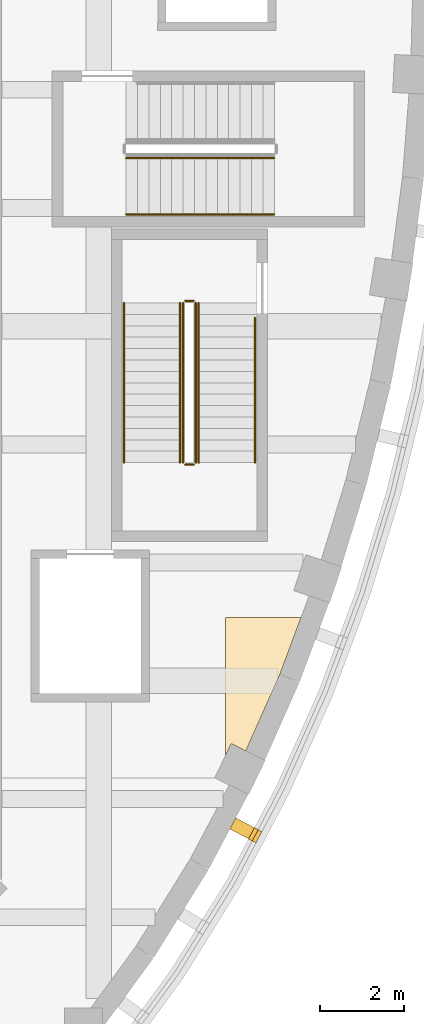
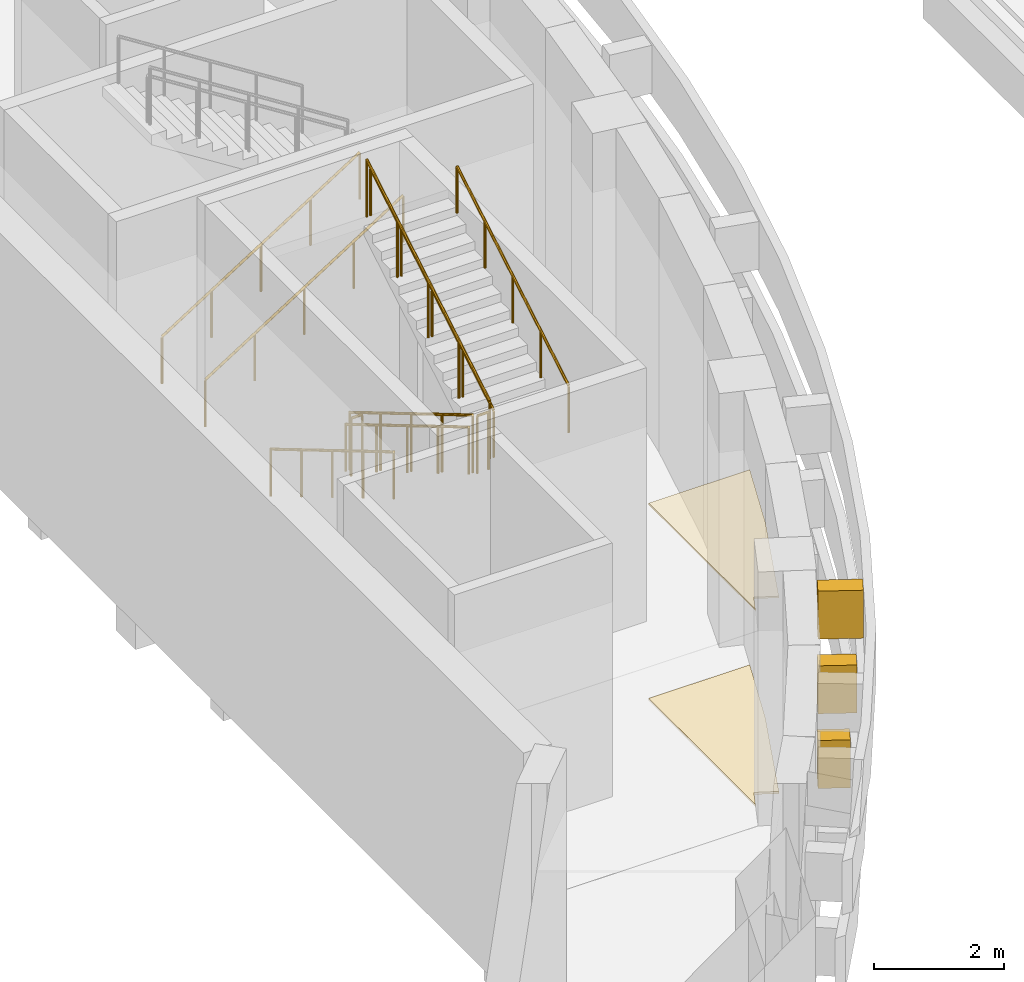
# One storey, part 89 of 103: 10 railings, 5 coverings.
"""IFC4 building model written with IfcOpenShell, lengths in metres."""

from ifc_helpers import new_model, si_unit, direction, frame, origin, origin_2d, place, context, subcontext, project, spatial, polyline, rectangle, circle, outline, extrude, material, layer, layer_set, type_object, element, save


model = new_model("IFC4")

# Units and contexts
model_context = context("Model", 3, precision=1e-05, world=origin(), true_north=direction((0.0, 1.0)))
body_context = subcontext(model_context, "Body", "Model", "MODEL_VIEW")
ifc_project = project(units=[si_unit("LENGTHUNIT", "METRE"), si_unit("AREAUNIT", "SQUARE_METRE"), si_unit("VOLUMEUNIT", "CUBIC_METRE"), si_unit("PLANEANGLEUNIT", "RADIAN"), si_unit("MASSUNIT", "GRAM", prefix="KILO")], contexts=[model_context])

# Site, building, storey
site_placement = place(None, origin())
site = spatial("IfcSite", under=ifc_project, at=site_placement, CompositionType="ELEMENT")
building_placement = place(site_placement, origin())
building = spatial("IfcBuilding", under=site, at=building_placement, Name="Larchfold Concert Hall", CompositionType="ELEMENT")
storey_placement = place(building_placement, frame((0.0, 0.0, 9.60009765625)))
storey = spatial("IfcBuildingStorey", under=building, at=storey_placement, Name="L02", CompositionType="ELEMENT", Elevation=9.60009765625)

# Coverings
ifc_material_1 = material(Name="Plasterboard ceiling lining")
ifc_layer_1 = layer(ifc_material_1, 0.030029296875)
ifc_layer_set_1 = layer_set([ifc_layer_1], Name="Plasterboard ceiling lining")
covering_type_1 = type_object("IfcCoveringType", Name="Ceiling suspended plasterboard 30", PredefinedType="CEILING", material=ifc_layer_set_1)
covering_1_placement = place(storey_placement, frame((0.0, 0.0, 3.669921875)))
element("IfcCovering", 1, at=covering_1_placement, inside=storey, type_object=covering_type_1, Name="Ceiling Hall Foyer South East", PredefinedType="CEILING", context=body_context, shape_type="SweptSolid", body=[
    extrude(outline(polyline([(62.88623046875, 66.142333984375), (63.69287109375, 67.953369140625), (64.19384765625, 69.300048828125), (62.400146484375, 69.300048828125), (62.400146484375, 66.0224609375), (62.53955078125, 66.310302734375), (62.88623046875, 66.142333984375)])), origin(), (0.0, 0.0, 1.0), 0.030029296875),
])
ifc_material_2 = material(Name="Polished terrazzo")
ifc_layer_2 = layer(ifc_material_2, 0.0400390625)
ifc_layer_set_2 = layer_set([ifc_layer_2], Name="Polished terrazzo")
covering_type_2 = type_object("IfcCoveringType", Name="Floor finish terrazzo 40", PredefinedType="FLOORING", material=ifc_layer_set_2)
covering_2_placement = place(storey_placement, origin())
element("IfcCovering", 2, at=covering_2_placement, inside=storey, type_object=covering_type_2, Name="Floor finish Hall Foyer South East", PredefinedType="FLOORING", context=body_context, shape_type="SweptSolid", body=[
    extrude(outline(polyline([(62.88623046875, 66.142333984375), (63.69287109375, 67.953369140625), (64.19384765625, 69.300048828125), (62.400146484375, 69.300048828125), (62.400146484375, 66.0224609375), (62.53955078125, 66.310302734375), (62.88623046875, 66.142333984375)])), origin(), (0.0, 0.0, 1.0), 0.0400390625),
])
ifc_material_3 = material(Name="Galvanised steel bracket", Category="steel")
ifc_layer_3 = layer(ifc_material_3, 0.300048828125)
ifc_layer_set_3 = layer_set([ifc_layer_3], Name="Galvanised steel bracket")
covering_type_3 = type_object("IfcCoveringType", Name="Ring support bracket", PredefinedType="CLADDING", material=ifc_layer_set_3)
covering_3_placement = place(storey_placement, frame((62.79931640625, 64.30517578125, 1.349853515625), z_axis=(0.0, 0.0, 1.0), x_axis=(0.884535681061, -0.466472538238, 0.0)))
element("IfcCovering", 3, at=covering_3_placement, inside=storey, type_object=covering_type_3, Name="Ring bracket BR-R03-29", PredefinedType="CLADDING", context=body_context, shape_type="SweptSolid", body=[
    extrude(rectangle(XDim=0.5, YDim=0.300048828125, at=origin_2d()), origin(), (0.0, 0.0, 1.0), 0.89990234375),
])
covering_4_placement = place(storey_placement, frame((62.843505859375, 64.28173828125, 2.75), z_axis=(0.0, 0.0, 1.0), x_axis=(0.884535681061, -0.466472538238, 0.0)))
element("IfcCovering", 4, at=covering_4_placement, inside=storey, type_object=covering_type_3, Name="Ring bracket BR-R04-29", PredefinedType="CLADDING", context=body_context, shape_type="SweptSolid", body=[
    extrude(rectangle(XDim=0.60009765625, YDim=0.300048828125, at=origin_2d()), origin(), (0.0, 0.0, 1.0), 0.89990234375),
])
covering_5_placement = place(storey_placement, frame((62.8876953125, 64.258544921875, 4.14990234375), z_axis=(0.0, 0.0, 1.0), x_axis=(0.884535681061, -0.466472538238, 0.0)))
element("IfcCovering", 5, at=covering_5_placement, inside=storey, type_object=covering_type_3, Name="Ring bracket BR-R05-29", PredefinedType="CLADDING", context=body_context, shape_type="SweptSolid", body=[
    extrude(rectangle(XDim=0.699951171875, YDim=0.300048828125, at=origin_2d()), origin(), (0.0, 0.0, 1.0), 0.89990234375),
])

# Railings
ifc_material_4 = material(Name="Stainless steel balustrade", Category="steel")
railing_type_1 = type_object("IfcRailingType", Name="Stair guard 1100", PredefinedType="GUARDRAIL", material=ifc_material_4)
railing_1_placement = place(storey_placement, frame((61.39990234375, 76.75, 0.159912109375)))
element("IfcRailing", 6, at=railing_1_placement, inside=storey, type_object=railing_type_1, Name="Guard GR0024", PredefinedType="GUARDRAIL", context=body_context, shape_type="SweptSolid", body=[
    extrude(circle(Radius=0.02392578125, at=origin_2d()), frame((0.0, 0.0, 1.076171875), z_axis=(0.0, -0.860294241299, 0.509797821089), x_axis=(1.0, 0.0, 0.0)), (0.0, 0.0, 1.0), 4.393798828125),
    extrude(circle(Radius=0.02099609375, at=origin_2d()), origin(), (0.0, 0.0, 1.0), 1.052001953125),
    extrude(circle(Radius=0.02099609375, at=origin_2d()), frame((0.0, -0.945068359375, 0.56005859375)), (0.0, 0.0, 1.0), 1.052001953125),
    extrude(circle(Radius=0.02099609375, at=origin_2d()), frame((0.0, -1.89013671875, 1.1201171875)), (0.0, 0.0, 1.0), 1.052001953125),
    extrude(circle(Radius=0.02099609375, at=origin_2d()), frame((0.0, -2.8349609375, 1.679931640625)), (0.0, 0.0, 1.0), 1.052001953125),
    extrude(circle(Radius=0.02099609375, at=origin_2d()), frame((0.0, -3.780029296875, 2.239990234375)), (0.0, 0.0, 1.0), 1.052001953125),
])
railing_2_placement = place(storey_placement, frame((61.449951171875, 72.919921875, 2.39990234375)))
element("IfcRailing", 7, at=railing_2_placement, inside=storey, type_object=railing_type_1, Name="Guard GR0025", PredefinedType="GUARDRAIL", context=body_context, shape_type="SweptSolid", body=[
    extrude(circle(Radius=0.02392578125, at=origin_2d()), frame((0.0, 0.0, 1.076171875), z_axis=(1.0, 0.0, 0.0), x_axis=(0.0, 1.0, 0.0)), (0.0, 0.0, 1.0), 0.199951171875),
    extrude(circle(Radius=0.02099609375, at=origin_2d()), origin(), (0.0, 0.0, 1.0), 1.052001953125),
    extrude(circle(Radius=0.02099609375, at=origin_2d()), frame((0.199951171875, 0.0, 0.0)), (0.0, 0.0, 1.0), 1.052001953125),
])
railing_3_placement = place(storey_placement, frame((61.699951171875, 72.969970703125, 2.559814453125)))
element("IfcRailing", 8, at=railing_3_placement, inside=storey, type_object=railing_type_1, Name="Guard GR0026", PredefinedType="GUARDRAIL", context=body_context, shape_type="SweptSolid", body=[
    extrude(circle(Radius=0.02392578125, at=origin_2d()), frame((0.0, 0.0, 1.076171875), z_axis=(0.0, 0.860294241299, 0.509797821089), x_axis=(-1.0, 0.0, 0.0)), (0.0, 0.0, 1.0), 4.393798828125),
    extrude(circle(Radius=0.02099609375, at=origin_2d()), origin(), (0.0, 0.0, 1.0), 1.052001953125),
    extrude(circle(Radius=0.02099609375, at=origin_2d()), frame((0.0, 0.945068359375, 0.56005859375)), (0.0, 0.0, 1.0), 1.052001953125),
    extrude(circle(Radius=0.02099609375, at=origin_2d()), frame((0.0, 1.89013671875, 1.1201171875)), (0.0, 0.0, 1.0), 1.052001953125),
    extrude(circle(Radius=0.02099609375, at=origin_2d()), frame((0.0, 2.8349609375, 1.679931640625)), (0.0, 0.0, 1.0), 1.052001953125),
    extrude(circle(Radius=0.02099609375, at=origin_2d()), frame((0.0, 3.780029296875, 2.239990234375)), (0.0, 0.0, 1.0), 1.052001953125),
])
railing_4_placement = place(storey_placement, frame((61.449951171875, 76.800048828125, 0.0)))
element("IfcRailing", 9, at=railing_4_placement, inside=storey, type_object=railing_type_1, Name="Guard GR0027", PredefinedType="GUARDRAIL", context=body_context, shape_type="SweptSolid", body=[
    extrude(circle(Radius=0.02392578125, at=origin_2d()), frame((0.0, 0.0, 1.076171875), z_axis=(1.0, 0.0, 0.0), x_axis=(0.0, 1.0, 0.0)), (0.0, 0.0, 1.0), 0.199951171875),
    extrude(circle(Radius=0.02099609375, at=origin_2d()), origin(), (0.0, 0.0, 1.0), 1.052001953125),
    extrude(circle(Radius=0.02099609375, at=origin_2d()), frame((0.199951171875, 0.0, 0.0)), (0.0, 0.0, 1.0), 1.052001953125),
])
ifc_material_5 = material(Name="Stainless steel handrail", Category="steel")
railing_type_2 = type_object("IfcRailingType", Name="Stair handrail 900", PredefinedType="HANDRAIL", material=ifc_material_5)
railing_5_placement = place(storey_placement, frame((60.0, 76.75, 0.159912109375)))
element("IfcRailing", 10, at=railing_5_placement, inside=storey, type_object=railing_type_2, Name="Handrail HR0021", PredefinedType="HANDRAIL", context=body_context, shape_type="SweptSolid", body=[
    extrude(circle(Radius=0.02392578125, at=origin_2d()), frame((0.0, 0.0, 0.8759765625), z_axis=(0.0, -0.860294241299, 0.509797821089), x_axis=(1.0, 0.0, 0.0)), (0.0, 0.0, 1.0), 4.393798828125),
    extrude(circle(Radius=0.02099609375, at=origin_2d()), origin(), (0.0, 0.0, 1.0), 0.851806640625),
    extrude(circle(Radius=0.02099609375, at=origin_2d()), frame((0.0, -0.945068359375, 0.56005859375)), (0.0, 0.0, 1.0), 0.851806640625),
    extrude(circle(Radius=0.02099609375, at=origin_2d()), frame((0.0, -1.89013671875, 1.1201171875)), (0.0, 0.0, 1.0), 0.851806640625),
    extrude(circle(Radius=0.02099609375, at=origin_2d()), frame((0.0, -2.8349609375, 1.679931640625)), (0.0, 0.0, 1.0), 0.851806640625),
    extrude(circle(Radius=0.02099609375, at=origin_2d()), frame((0.0, -3.780029296875, 2.239990234375)), (0.0, 0.0, 1.0), 0.851806640625),
])
railing_6_placement = place(storey_placement, frame((63.10009765625, 72.969970703125, 2.559814453125)))
element("IfcRailing", 11, at=railing_6_placement, inside=storey, type_object=railing_type_2, Name="Handrail HR0022", PredefinedType="HANDRAIL", context=body_context, shape_type="SweptSolid", body=[
    extrude(circle(Radius=0.02392578125, at=origin_2d()), frame((0.0, 0.0, 0.8759765625), z_axis=(0.0, 0.860273629211, 0.509832602805), x_axis=(-1.0, 0.0, 0.0)), (0.0, 0.0, 1.0), 3.987060546875),
    extrude(circle(Radius=0.02099609375, at=origin_2d()), origin(), (0.0, 0.0, 1.0), 0.851806640625),
    extrude(circle(Radius=0.02099609375, at=origin_2d()), frame((0.0, 0.857421875, 0.50830078125)), (0.0, 0.0, 1.0), 0.851806640625),
    extrude(circle(Radius=0.02099609375, at=origin_2d()), frame((0.0, 1.71484375, 1.016357421875)), (0.0, 0.0, 1.0), 0.851806640625),
    extrude(circle(Radius=0.02099609375, at=origin_2d()), frame((0.0, 2.572509765625, 1.5244140625)), (0.0, 0.0, 1.0), 0.851806640625),
    extrude(circle(Radius=0.02099609375, at=origin_2d()), frame((0.0, 3.429931640625, 2.03271484375)), (0.0, 0.0, 1.0), 0.851806640625),
])
railing_7_placement = place(storey_placement, frame((61.329833984375, 76.75, 0.159912109375)))
element("IfcRailing", 12, at=railing_7_placement, inside=storey, type_object=railing_type_2, Name="Handrail HR0023", PredefinedType="HANDRAIL", context=body_context, shape_type="SweptSolid", body=[
    extrude(circle(Radius=0.02392578125, at=origin_2d()), frame((0.0, 0.0, 0.8759765625), z_axis=(0.0, -0.860294241299, 0.509797821089), x_axis=(1.0, 0.0, 0.0)), (0.0, 0.0, 1.0), 4.393798828125),
    extrude(circle(Radius=0.02099609375, at=origin_2d()), origin(), (0.0, 0.0, 1.0), 0.851806640625),
    extrude(circle(Radius=0.02099609375, at=origin_2d()), frame((0.0, -0.945068359375, 0.56005859375)), (0.0, 0.0, 1.0), 0.851806640625),
    extrude(circle(Radius=0.02099609375, at=origin_2d()), frame((0.0, -1.89013671875, 1.1201171875)), (0.0, 0.0, 1.0), 0.851806640625),
    extrude(circle(Radius=0.02099609375, at=origin_2d()), frame((0.0, -2.8349609375, 1.679931640625)), (0.0, 0.0, 1.0), 0.851806640625),
    extrude(circle(Radius=0.02099609375, at=origin_2d()), frame((0.0, -3.780029296875, 2.239990234375)), (0.0, 0.0, 1.0), 0.851806640625),
])
railing_8_placement = place(storey_placement, frame((61.77001953125, 72.969970703125, 2.559814453125)))
element("IfcRailing", 13, at=railing_8_placement, inside=storey, type_object=railing_type_2, Name="Handrail HR0024", PredefinedType="HANDRAIL", context=body_context, shape_type="SweptSolid", body=[
    extrude(circle(Radius=0.02392578125, at=origin_2d()), frame((0.0, 0.0, 0.8759765625), z_axis=(0.0, 0.860294241299, 0.509797821089), x_axis=(-1.0, 0.0, 0.0)), (0.0, 0.0, 1.0), 4.393798828125),
    extrude(circle(Radius=0.02099609375, at=origin_2d()), origin(), (0.0, 0.0, 1.0), 0.851806640625),
    extrude(circle(Radius=0.02099609375, at=origin_2d()), frame((0.0, 0.945068359375, 0.56005859375)), (0.0, 0.0, 1.0), 0.851806640625),
    extrude(circle(Radius=0.02099609375, at=origin_2d()), frame((0.0, 1.89013671875, 1.1201171875)), (0.0, 0.0, 1.0), 0.851806640625),
    extrude(circle(Radius=0.02099609375, at=origin_2d()), frame((0.0, 2.8349609375, 1.679931640625)), (0.0, 0.0, 1.0), 0.851806640625),
    extrude(circle(Radius=0.02099609375, at=origin_2d()), frame((0.0, 3.780029296875, 2.239990234375)), (0.0, 0.0, 1.0), 0.851806640625),
])
for number, where, name in (
    (14, (60.050048828125, 78.85009765625, 0.17138671875), "Handrail HR0029"),
    (15, (60.050048828125, 80.179931640625, 0.17138671875), "Handrail HR0031"),
):
    element("IfcRailing", number, at=place(storey_placement, frame(where)), inside=storey, type_object=railing_type_2, Name=name, PredefinedType="HANDRAIL", context=body_context, shape_type="SweptSolid", body=[
        extrude(circle(Radius=0.02392578125, at=origin_2d()), frame((0.0, 0.0, 0.8759765625), z_axis=(0.844219563411, 0.0, 0.53599750816), x_axis=(0.0, 1.0, 0.0)), (0.0, 0.0, 1.0), 4.15771484375),
        extrude(circle(Radius=0.02099609375, at=origin_2d()), origin(), (0.0, 0.0, 1.0), 0.851806640625),
        extrude(circle(Radius=0.02099609375, at=origin_2d()), frame((0.87744140625, 0.0, 0.55712890625)), (0.0, 0.0, 1.0), 0.851806640625),
        extrude(circle(Radius=0.02099609375, at=origin_2d()), frame((1.7548828125, 0.0, 1.1142578125)), (0.0, 0.0, 1.0), 0.851806640625),
        extrude(circle(Radius=0.02099609375, at=origin_2d()), frame((2.632568359375, 0.0, 1.67138671875)), (0.0, 0.0, 1.0), 0.851806640625),
        extrude(circle(Radius=0.02099609375, at=origin_2d()), frame((3.510009765625, 0.0, 2.228515625)), (0.0, 0.0, 1.0), 0.851806640625),
    ])

save(model, "model.ifc")
